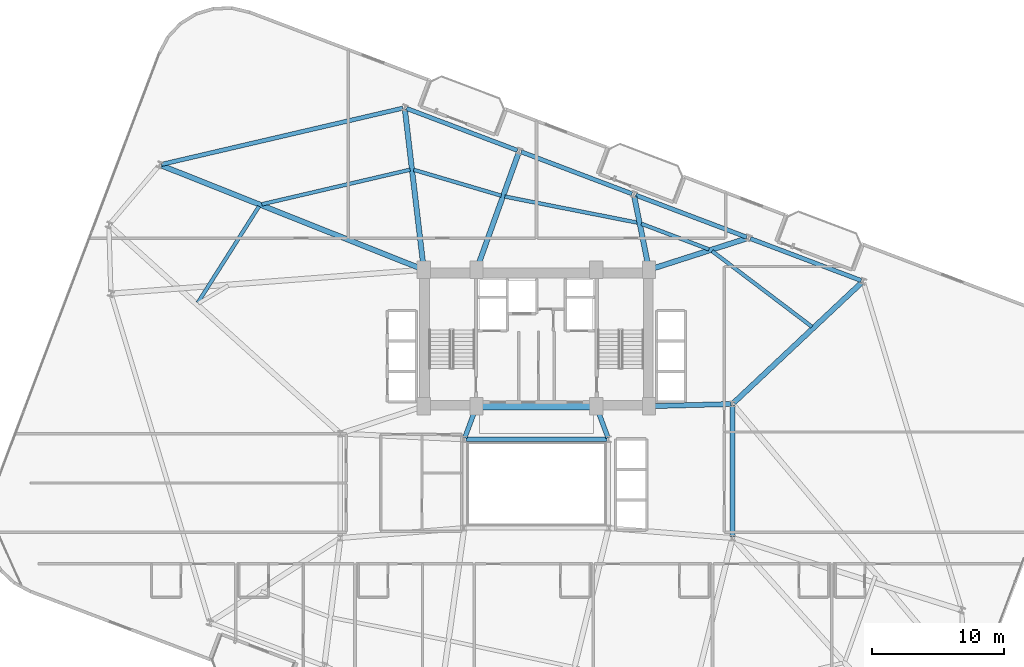
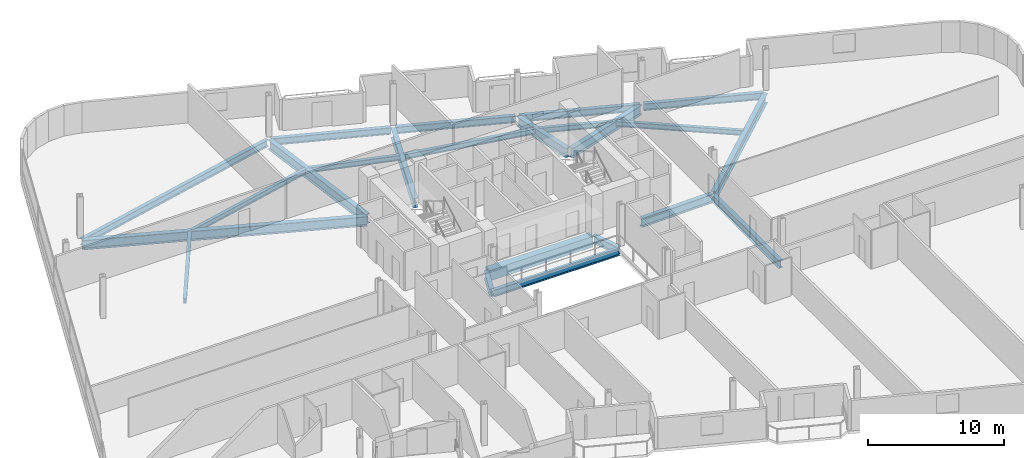
# One storey, part 9 of 25: 23 beams.
"""IFC4 building model written with IfcOpenShell, lengths in metres."""

from ifc_helpers import new_model, si_unit, direction, frame, origin, origin_2d, place, context, subcontext, project, spatial, rectangle, i_section, extrude, material, material_profile, profile_set, type_object, element, save


model = new_model("IFC4")

# Units and contexts
model_context = context("Model", 3, precision=1e-05, world=origin(), true_north=direction((0.0, 1.0)))
body_context = subcontext(model_context, "Body", "Model", "MODEL_VIEW")
ifc_project = project(units=[si_unit("LENGTHUNIT", "METRE"), si_unit("AREAUNIT", "SQUARE_METRE"), si_unit("VOLUMEUNIT", "CUBIC_METRE"), si_unit("PLANEANGLEUNIT", "RADIAN"), si_unit("MASSUNIT", "GRAM", prefix="KILO")], contexts=[model_context])

# Site, building, storey
site_placement = place(None, origin())
site = spatial("IfcSite", under=ifc_project, at=site_placement, CompositionType="ELEMENT")
building_placement = place(site_placement, origin())
building = spatial("IfcBuilding", under=site, at=building_placement, Name="Varnelok Gate Tower", CompositionType="ELEMENT")
storey_placement = place(building_placement, frame((0.0, 0.0, 76.199951171875)))
storey = spatial("IfcBuildingStorey", under=building, at=storey_placement, Name="L18", CompositionType="ELEMENT", Elevation=76.199951171875)

# Beams
ifc_material_1 = material(Name="Structural Steel ASTM A992 Grade 50", Category="steel")
ifc_material_profile_1 = material_profile(ifc_material_1, i_section(OverallWidth=0.280029296875, OverallDepth=0.462890625, WebThickness=0.0107421875, FlangeThickness=0.017333984375, FilletRadius=0.014892578125, at=origin_2d()), Name="W18X76")
ifc_profile_set_1 = profile_set([ifc_material_profile_1], Name="Structural Steel ASTM A992 Grade 50")
beam_type_1 = type_object("IfcBeamType", Name="BM-JST-W18X76", PredefinedType="JOIST", material=ifc_profile_set_1)
beam_1_placement = place(storey_placement, frame((60.0009765625, 34.748046875, -0.4814453125), z_axis=(-0.79692789386, 0.604074442423, 0.0), x_axis=(-0.604074442423, -0.79692789386, 0.0)))
element("IfcBeam", 1, at=beam_1_placement, inside=storey, type_object=beam_type_1, Name="L18 Sector Floor Joist 7", PredefinedType="JOIST", context=body_context, shape_type="SweptSolid", body=[
    extrude(i_section(OverallWidth=0.280029296875, OverallDepth=0.462890625, WebThickness=0.0107421875, FlangeThickness=0.017333984375, FilletRadius=0.014892578125, at=origin_2d()), origin(), (0.0, 0.0, 1.0), 9.4541015625),
])
beam_2_placement = place(storey_placement, frame((52.22412109375, 40.593017578125, -0.4814453125), z_axis=(-0.935220980755, 0.354064566365, 0.0), x_axis=(-0.354064566365, -0.935220980755, 0.0)))
element("IfcBeam", 2, at=beam_2_placement, inside=storey, type_object=beam_type_1, Name="L18 Sector Floor Joist 8", PredefinedType="JOIST", context=body_context, shape_type="SweptSolid", body=[
    extrude(i_section(OverallWidth=0.280029296875, OverallDepth=0.462890625, WebThickness=0.0107421875, FlangeThickness=0.017333984375, FilletRadius=0.014892578125, at=origin_2d()), origin(), (0.0, 0.0, 1.0), 5.454833984375),
])
beam_3_placement = place(storey_placement, frame((46.854248046875, 42.60107421875, -0.4814453125), z_axis=(-0.981158351335, 0.19320530429, 0.0), x_axis=(-0.19320530429, -0.981158351335, 0.0)))
element("IfcBeam", 3, at=beam_3_placement, inside=storey, type_object=beam_type_1, Name="L18 Sector Floor Joist 9", PredefinedType="JOIST", context=body_context, shape_type="SweptSolid", body=[
    extrude(i_section(OverallWidth=0.280029296875, OverallDepth=0.462890625, WebThickness=0.0107421875, FlangeThickness=0.017333984375, FilletRadius=0.014892578125, at=origin_2d()), origin(), (0.0, 0.0, 1.0), 10.22900390625),
])
beam_4_placement = place(storey_placement, frame((36.546142578125, 44.644287109375, -0.4814453125), z_axis=(-0.959055124107, 0.283219471303, 0.0), x_axis=(-0.283219471303, -0.959055124107, 0.0)))
element("IfcBeam", 4, at=beam_4_placement, inside=storey, type_object=beam_type_1, Name="L18 Sector Floor Joist 10", PredefinedType="JOIST", context=body_context, shape_type="SweptSolid", body=[
    extrude(i_section(OverallWidth=0.280029296875, OverallDepth=0.462890625, WebThickness=0.0107421875, FlangeThickness=0.017333984375, FilletRadius=0.014892578125, at=origin_2d()), origin(), (0.0, 0.0, 1.0), 6.88916015625),
])
beam_5_placement = place(storey_placement, frame((29.668212890625, 46.603515625, -0.4814453125), z_axis=(-0.973874887524, -0.227085233889, 0.0), x_axis=(0.227085233889, -0.973874887524, 0.0)))
element("IfcBeam", 5, at=beam_5_placement, inside=storey, type_object=beam_type_1, Name="L18 Sector Floor Joist 11", PredefinedType="JOIST", context=body_context, shape_type="SweptSolid", body=[
    extrude(i_section(OverallWidth=0.280029296875, OverallDepth=0.462890625, WebThickness=0.0107421875, FlangeThickness=0.017333984375, FilletRadius=0.014892578125, at=origin_2d()), origin(), (0.0, 0.0, 1.0), 11.492919921875),
])
beam_6_placement = place(storey_placement, frame((18.26416015625, 43.843505859375, -0.4814453125), z_axis=(-0.536093298617, -0.84415873814, 0.0), x_axis=(0.84415873814, -0.536093298617, 0.0)))
element("IfcBeam", 6, at=beam_6_placement, inside=storey, type_object=beam_type_1, Name="L18 Sector Floor Joist 12", PredefinedType="JOIST", context=body_context, shape_type="SweptSolid", body=[
    extrude(i_section(OverallWidth=0.280029296875, OverallDepth=0.462890625, WebThickness=0.0107421875, FlangeThickness=0.017333984375, FilletRadius=0.014892578125, at=origin_2d()), origin(), (0.0, 0.0, 1.0), 8.626220703125),
])
ifc_material_2 = material(Name="Concrete C60/75", Category="concrete")
ifc_material_profile_2 = material_profile(ifc_material_2, rectangle(XDim=0.60009765625, YDim=0.949951171875, at=origin_2d()), Name="RC950X600")
ifc_profile_set_2 = profile_set([ifc_material_profile_2], Name="Concrete C60/75")
beam_type_2 = type_object("IfcBeamType", Name="BM-LNT-RC950", PredefinedType="LINTEL", material=ifc_profile_set_2)
beam_7_placement = place(storey_placement, frame((34.800048828125, 28.75, -0.724853515625), z_axis=(1.0, 0.0, 0.0), x_axis=(0.0, 1.0, 0.0)))
element("IfcBeam", 7, at=beam_7_placement, inside=storey, type_object=beam_type_2, Name="L18 Core-Atrium Spine Beam 7", PredefinedType="LINTEL", context=body_context, shape_type="SweptSolid", body=[
    extrude(rectangle(XDim=0.60009765625, YDim=0.949951171875, at=origin_2d()), origin(), (0.0, 0.0, 1.0), 8.800048828125),
])
ifc_material_profile_3 = material_profile(ifc_material_1, i_section(OverallWidth=0.35498046875, OverallDepth=0.696044921875, WebThickness=0.015380859375, FlangeThickness=0.02490234375, FilletRadius=0.02001953125, at=origin_2d()), Name="W27X146")
ifc_profile_set_3 = profile_set([ifc_material_profile_3], Name="Structural Steel ASTM A992 Grade 50")
beam_type_3 = type_object("IfcBeamType", Name="BM-PRI-W27X146", PredefinedType="BEAM", material=ifc_profile_set_3)
for number, where, z_axis, x_axis, name in (
    (8, (33.791748046875, 26.362548828125, -0.597900390625), (0.348719329408, 0.937227202602, 0.0), (-0.937227202602, 0.348719329408, 0.0), "L18 Core-Atrium Spine Beam 12"),
    (9, (44.608154296875, 26.362548828125, -0.597900390625), (-0.348719329408, 0.937227202602, 0.0), (-0.937227202602, -0.348719329408, 0.0), "L18 Core-Atrium Spine Beam 13"),
):
    element("IfcBeam", number, at=place(storey_placement, frame(where, z_axis=z_axis, x_axis=x_axis)), inside=storey, type_object=beam_type_3, Name=name, PredefinedType="BEAM", context=body_context, shape_type="SweptSolid", body=[
        extrude(i_section(OverallWidth=0.35498046875, OverallDepth=0.696044921875, WebThickness=0.015380859375, FlangeThickness=0.02490234375, FilletRadius=0.02001953125, at=origin_2d()), origin(), (0.0, 0.0, 1.0), 2.42724609375),
    ])
beam_8_placement = place(storey_placement, frame((54.0, 18.919921875, -0.597900390625), z_axis=(0.0, 1.0, 0.0), x_axis=(-1.0, 0.0, 0.0)))
element("IfcBeam", 10, at=beam_8_placement, inside=storey, type_object=beam_type_3, Name="L18 Core-Atrium Spine Beam 20", PredefinedType="BEAM", context=body_context, shape_type="SweptSolid", body=[
    extrude(i_section(OverallWidth=0.35498046875, OverallDepth=0.696044921875, WebThickness=0.015380859375, FlangeThickness=0.02490234375, FilletRadius=0.02001953125, at=origin_2d()), origin(), (0.0, 0.0, 1.0), 9.880126953125),
])
ifc_material_profile_4 = material_profile(ifc_material_1, i_section(OverallWidth=0.381103515625, OverallDepth=0.77294921875, WebThickness=0.0166015625, FlangeThickness=0.027099609375, FilletRadius=0.02197265625, at=origin_2d()), Name="W30X173")
ifc_profile_set_4 = profile_set([ifc_material_profile_4], Name="Structural Steel ASTM A992 Grade 50")
beam_type_4 = type_object("IfcBeamType", Name="BM-PRI-W30X173", PredefinedType="BEAM", material=ifc_profile_set_4)
beam_9_placement = place(storey_placement, frame((47.820068359375, 28.753173828125, -0.636474609375), z_axis=(0.999635880609, 0.026983443053, 0.0), x_axis=(-0.026983443053, 0.999635880609, 0.0)))
element("IfcBeam", 11, at=beam_9_placement, inside=storey, type_object=beam_type_4, Name="L18 Core-Atrium Spine Beam 19", PredefinedType="BEAM", context=body_context, shape_type="SweptSolid", body=[
    extrude(i_section(OverallWidth=0.381103515625, OverallDepth=0.77294921875, WebThickness=0.0166015625, FlangeThickness=0.027099609375, FilletRadius=0.02197265625, at=origin_2d()), origin(), (0.0, 0.0, 1.0), 6.06201171875),
])
ifc_material_profile_5 = material_profile(ifc_material_1, i_section(OverallWidth=0.39892578125, OverallDepth=0.85498046875, WebThickness=0.018310546875, FlangeThickness=0.029296875, FilletRadius=0.02392578125, at=origin_2d()), Name="W33X201")
ifc_profile_set_5 = profile_set([ifc_material_profile_5], Name="Structural Steel ASTM A992 Grade 50")
beam_type_5 = type_object("IfcBeamType", Name="BM-PRI-W33X201", PredefinedType="BEAM", material=ifc_profile_set_5)
beam_10_placement = place(storey_placement, frame((54.109375, 29.022705078125, -0.677490234375), z_axis=(0.728763782129, 0.684765178624, 0.0), x_axis=(-0.684765178624, 0.728763782129, 0.0)))
element("IfcBeam", 12, at=beam_10_placement, inside=storey, type_object=beam_type_5, Name="L18 Radial Floor Girder 9", PredefinedType="BEAM", context=body_context, shape_type="SweptSolid", body=[
    extrude(i_section(OverallWidth=0.39892578125, OverallDepth=0.85498046875, WebThickness=0.018310546875, FlangeThickness=0.029296875, FilletRadius=0.02392578125, at=origin_2d()), origin(), (0.0, 0.0, 1.0), 13.228515625),
])
beam_11_placement = place(storey_placement, frame((47.8427734375, 39.095703125, -0.677490234375), z_axis=(0.952189173648, 0.305509046656, 0.0), x_axis=(-0.305509046656, 0.952189173648, 0.0)))
element("IfcBeam", 13, at=beam_11_placement, inside=storey, type_object=beam_type_5, Name="L18 Radial Floor Girder 10", PredefinedType="BEAM", context=body_context, shape_type="SweptSolid", body=[
    extrude(i_section(OverallWidth=0.39892578125, OverallDepth=0.85498046875, WebThickness=0.018310546875, FlangeThickness=0.029296875, FilletRadius=0.02392578125, at=origin_2d()), origin(), (0.0, 0.0, 1.0), 7.585205078125),
])
beam_12_placement = place(storey_placement, frame((47.67041015625, 39.197021484375, -0.677490234375), z_axis=(-0.19708105208, 0.980387198463, 0.0), x_axis=(-0.980387198463, -0.19708105208, 0.0)))
element("IfcBeam", 14, at=beam_12_placement, inside=storey, type_object=beam_type_5, Name="L18 Radial Floor Girder 11", PredefinedType="BEAM", context=body_context, shape_type="SweptSolid", body=[
    extrude(i_section(OverallWidth=0.39892578125, OverallDepth=0.85498046875, WebThickness=0.018310546875, FlangeThickness=0.029296875, FilletRadius=0.02392578125, at=origin_2d()), origin(), (0.0, 0.0, 1.0), 5.497802734375),
])
beam_13_placement = place(storey_placement, frame((34.730712890625, 39.191162109375, -0.677490234375), z_axis=(0.338850703631, 0.940840156801, 0.0), x_axis=(-0.940840156801, 0.338850703631, 0.0)))
element("IfcBeam", 15, at=beam_13_placement, inside=storey, type_object=beam_type_5, Name="L18 Radial Floor Girder 12", PredefinedType="BEAM", context=body_context, shape_type="SweptSolid", body=[
    extrude(i_section(OverallWidth=0.39892578125, OverallDepth=0.85498046875, WebThickness=0.018310546875, FlangeThickness=0.029296875, FilletRadius=0.02392578125, at=origin_2d()), origin(), (0.0, 0.0, 1.0), 9.222412109375),
])
beam_14_placement = place(storey_placement, frame((30.682373046875, 39.198974609375, -0.677490234375), z_axis=(-0.117226632165, 0.993105189147, 0.0), x_axis=(-0.993105189147, -0.117226632165, 0.0)))
element("IfcBeam", 16, at=beam_14_placement, inside=storey, type_object=beam_type_5, Name="L18 Radial Floor Girder 13", PredefinedType="BEAM", context=body_context, shape_type="SweptSolid", body=[
    extrude(i_section(OverallWidth=0.39892578125, OverallDepth=0.85498046875, WebThickness=0.018310546875, FlangeThickness=0.029296875, FilletRadius=0.02392578125, at=origin_2d()), origin(), (0.0, 0.0, 1.0), 12.018798828125),
])
beam_15_placement = place(storey_placement, frame((30.560546875, 39.10546875, -0.677490234375), z_axis=(-0.929316441243, 0.369284378271, 0.0), x_axis=(-0.369284378271, -0.929316441243, 0.0)))
element("IfcBeam", 17, at=beam_15_placement, inside=storey, type_object=beam_type_5, Name="L18 Radial Floor Girder 14", PredefinedType="BEAM", context=body_context, shape_type="SweptSolid", body=[
    extrude(i_section(OverallWidth=0.39892578125, OverallDepth=0.85498046875, WebThickness=0.018310546875, FlangeThickness=0.029296875, FilletRadius=0.02392578125, at=origin_2d()), origin(), (0.0, 0.0, 1.0), 21.153076171875),
])
ifc_material_profile_6 = material_profile(ifc_material_1, i_section(OverallWidth=0.323974609375, OverallDepth=0.611083984375, WebThickness=0.0126953125, FlangeThickness=0.01904296875, FilletRadius=0.01806640625, at=origin_2d()), Name="W24X104")
ifc_profile_set_6 = profile_set([ifc_material_profile_6], Name="Structural Steel ASTM A992 Grade 50")
beam_type_6 = type_object("IfcBeamType", Name="BM-SPN-W24X104", PredefinedType="SPANDREL", material=ifc_profile_set_6)
beam_16_placement = place(storey_placement, frame((33.8701171875, 26.25, -0.555419921875), z_axis=(1.0, 0.0, 0.0), x_axis=(0.0, 1.0, 0.0)))
element("IfcBeam", 18, at=beam_16_placement, inside=storey, type_object=beam_type_6, Name="L18 Core-Atrium Spine Beam 9", PredefinedType="SPANDREL", context=body_context, shape_type="SweptSolid", body=[
    extrude(i_section(OverallWidth=0.323974609375, OverallDepth=0.611083984375, WebThickness=0.0126953125, FlangeThickness=0.01904296875, FilletRadius=0.01806640625, at=origin_2d()), origin(), (0.0, 0.0, 1.0), 10.659912109375),
])
beam_17_placement = place(storey_placement, frame((63.71875, 38.23681640625, -0.555419921875), z_axis=(-0.935220356141, 0.354066216208, 0.0), x_axis=(-0.354066216208, -0.935220356141, 0.0)))
element("IfcBeam", 19, at=beam_17_placement, inside=storey, type_object=beam_type_6, Name="L18 Perimeter Spandrel Beam 9", PredefinedType="SPANDREL", context=body_context, shape_type="SweptSolid", body=[
    extrude(i_section(OverallWidth=0.323974609375, OverallDepth=0.611083984375, WebThickness=0.0126953125, FlangeThickness=0.01904296875, FilletRadius=0.01806640625, at=origin_2d()), origin(), (0.0, 0.0, 1.0), 8.9501953125),
])
for number, where, z_axis, x_axis, name in (
    (20, (55.06787109375, 41.511962890625, -0.555419921875), (-0.935216936382, 0.354075248928, 0.0), (-0.354075248928, -0.935216936382, 0.0), "L18 Perimeter Spandrel Beam 10"),
    (21, (46.4169921875, 44.787109375, -0.555419921875), (-0.935225969099, 0.354051389947, 0.0), (-0.354051389947, -0.935225969099, 0.0), "L18 Perimeter Spandrel Beam 11"),
):
    element("IfcBeam", number, at=place(storey_placement, frame(where, z_axis=z_axis, x_axis=x_axis)), inside=storey, type_object=beam_type_6, Name=name, PredefinedType="SPANDREL", context=body_context, shape_type="SweptSolid", body=[
        extrude(i_section(OverallWidth=0.323974609375, OverallDepth=0.611083984375, WebThickness=0.0126953125, FlangeThickness=0.01904296875, FilletRadius=0.01806640625, at=origin_2d()), origin(), (0.0, 0.0, 1.0), 8.949951171875),
    ])
beam_18_placement = place(storey_placement, frame((37.766357421875, 48.06201171875, -0.555419921875), z_axis=(-0.935220356141, 0.354066216208, 0.0), x_axis=(-0.354066216208, -0.935220356141, 0.0)))
element("IfcBeam", 22, at=beam_18_placement, inside=storey, type_object=beam_type_6, Name="L18 Perimeter Spandrel Beam 12", PredefinedType="SPANDREL", context=body_context, shape_type="SweptSolid", body=[
    extrude(i_section(OverallWidth=0.323974609375, OverallDepth=0.611083984375, WebThickness=0.0126953125, FlangeThickness=0.01904296875, FilletRadius=0.01806640625, at=origin_2d()), origin(), (0.0, 0.0, 1.0), 8.9501953125),
])
beam_19_placement = place(storey_placement, frame((29.109619140625, 51.25, -0.555419921875), z_axis=(-0.973877429001, -0.227074334266, 0.0), x_axis=(0.227074334266, -0.973877429001, 0.0)))
element("IfcBeam", 23, at=beam_19_placement, inside=storey, type_object=beam_type_6, Name="L18 Perimeter Spandrel Beam 13", PredefinedType="SPANDREL", context=body_context, shape_type="SweptSolid", body=[
    extrude(i_section(OverallWidth=0.323974609375, OverallDepth=0.611083984375, WebThickness=0.0126953125, FlangeThickness=0.01904296875, FilletRadius=0.01806640625, at=origin_2d()), origin(), (0.0, 0.0, 1.0), 18.6884765625),
])

save(model, "model.ifc")
